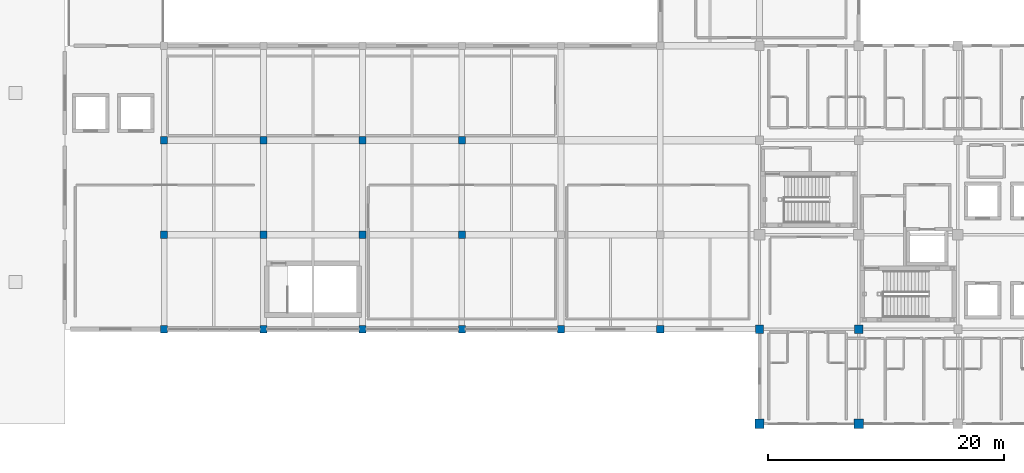
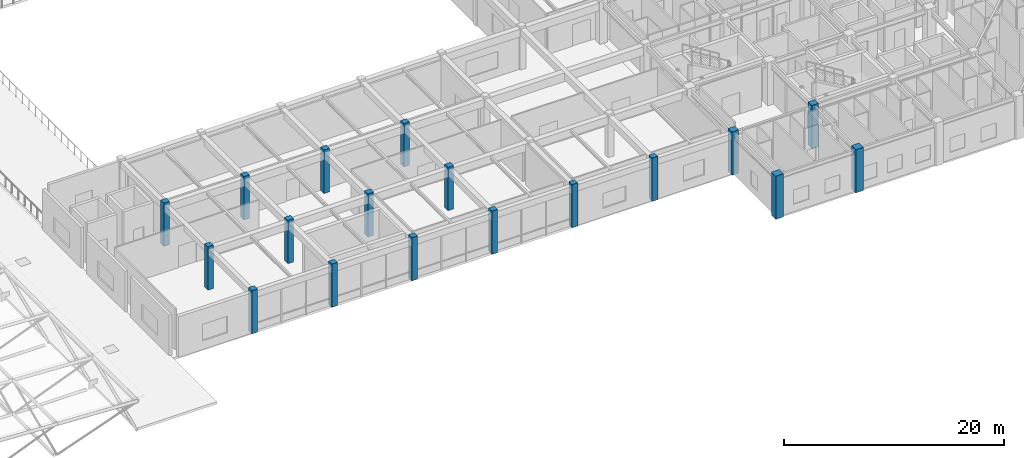
# One storey, part 1 of 37: 18 columns.
"""IFC4 building model written with IfcOpenShell, lengths in metres."""

from ifc_helpers import new_model, si_unit, direction, frame, origin, origin_2d, place, context, subcontext, project, spatial, rectangle, extrude, material, material_profile, profile_set, type_object, element, save


model = new_model("IFC4")

# Units and contexts
model_context = context("Model", 3, precision=1e-05, world=origin(), true_north=direction((0.0, 1.0)))
body_context = subcontext(model_context, "Body", "Model", "MODEL_VIEW")
ifc_project = project(units=[si_unit("LENGTHUNIT", "METRE"), si_unit("AREAUNIT", "SQUARE_METRE"), si_unit("VOLUMEUNIT", "CUBIC_METRE"), si_unit("PLANEANGLEUNIT", "RADIAN"), si_unit("MASSUNIT", "GRAM", prefix="KILO")], contexts=[model_context])

# Site, building, storey
site_placement = place(None, origin())
site = spatial("IfcSite", under=ifc_project, at=site_placement, CompositionType="ELEMENT")
building_placement = place(site_placement, origin())
building = spatial("IfcBuilding", under=site, at=building_placement, Name="Naruveol Harbour Congress Hotel", CompositionType="ELEMENT")
storey_placement = place(building_placement, frame((0.0, 0.0, 16.199951171875)))
storey = spatial("IfcBuildingStorey", under=building, at=storey_placement, Name="L03", CompositionType="ELEMENT", Elevation=16.199951171875)

# Columns
ifc_material_1 = material(Name="Concrete C40/50", Category="concrete")
ifc_material_profile_1 = material_profile(ifc_material_1, rectangle(XDim=0.699951171875, YDim=0.699951171875, at=origin_2d()), Name="RC-700x700")
ifc_profile_set_1 = profile_set([ifc_material_profile_1], Name="Concrete C40/50")
column_type_1 = type_object("IfcColumnType", Name="RC HOTEL COLUMN 700X700", PredefinedType="COLUMN", material=ifc_profile_set_1)
for number, where, z_axis, x_axis, name in (
    (1, (117.60009765625, 8.0, 0.0), (0.0, 0.0, 1.0), (1.0, 0.0, 0.0), "Planted hotel column C-700 L03 S0/J1"),
    (2, (126.0, 8.0, 0.0), (0.0, 0.0, 1.0), (1.0, 0.0, 0.0), "Planted hotel column C-700 L03 S1/J1"),
):
    element("IfcColumn", number, at=place(storey_placement, frame(where, z_axis=z_axis, x_axis=x_axis)), inside=storey, type_object=column_type_1, Name=name, PredefinedType="COLUMN", context=body_context, shape_type="SweptSolid", body=[
        extrude(rectangle(XDim=0.699951171875, YDim=0.699951171875, at=origin_2d()), origin(), (0.0, 0.0, 1.0), 4.800048828125),
    ])
ifc_material_2 = material(Name="Concrete C50/60", Category="concrete")
ifc_material_profile_2 = material_profile(ifc_material_2, rectangle(XDim=0.800048828125, YDim=0.800048828125, at=origin_2d()), Name="RC-800x800")
ifc_profile_set_2 = profile_set([ifc_material_profile_2], Name="Concrete C50/60")
column_type_2 = type_object("IfcColumnType", Name="RC PODIUM COLUMN 800X800", PredefinedType="COLUMN", material=ifc_profile_set_2)
for number, where, z_axis, x_axis, name in (
    (3, (117.60009765625, 0.0, 0.0), (0.0, 0.0, 1.0), (1.0, 0.0, 0.0), "Column C-800 L03 (117.6,0.0)"),
    (4, (126.0, 0.0, 0.0), (0.0, 0.0, 1.0), (1.0, 0.0, 0.0), "Column C-800 L03 (126.0,0.0)"),
):
    element("IfcColumn", number, at=place(storey_placement, frame(where, z_axis=z_axis, x_axis=x_axis)), inside=storey, type_object=column_type_2, Name=name, PredefinedType="COLUMN", context=body_context, shape_type="SweptSolid", body=[
        extrude(rectangle(XDim=0.800048828125, YDim=0.800048828125, at=origin_2d()), origin(), (0.0, 0.0, 1.0), 4.800048828125),
    ])
ifc_material_3 = material(Name="Concrete C40/50", Category="concrete")
ifc_material_profile_3 = material_profile(ifc_material_3, rectangle(XDim=0.60009765625, YDim=0.60009765625, at=origin_2d()), Name="RC-600x600")
ifc_profile_set_3 = profile_set([ifc_material_profile_3], Name="Concrete C40/50")
column_type_3 = type_object("IfcColumnType", Name="RC UPPER COLUMN 600X600", PredefinedType="COLUMN", material=ifc_profile_set_3)
for number, where, z_axis, x_axis, name in (
    (5, (67.199951171875, 8.0, 0.0), (0.0, 0.0, 1.0), (1.0, 0.0, 0.0), "Column C-600 L03 (67.2,8.0)"),
    (6, (67.199951171875, 16.0, 0.0), (0.0, 0.0, 1.0), (1.0, 0.0, 0.0), "Column C-600 L03 (67.2,16.0)"),
    (7, (67.199951171875, 24.0, 0.0), (0.0, 0.0, 1.0), (1.0, 0.0, 0.0), "Column C-600 L03 (67.2,24.0)"),
    (8, (75.60009765625, 8.0, 0.0), (0.0, 0.0, 1.0), (1.0, 0.0, 0.0), "Column C-600 L03 (75.6,8.0)"),
    (9, (75.60009765625, 16.0, 0.0), (0.0, 0.0, 1.0), (1.0, 0.0, 0.0), "Column C-600 L03 (75.6,16.0)"),
    (10, (75.60009765625, 24.0, 0.0), (0.0, 0.0, 1.0), (1.0, 0.0, 0.0), "Column C-600 L03 (75.6,24.0)"),
    (11, (84.0, 8.0, 0.0), (0.0, 0.0, 1.0), (1.0, 0.0, 0.0), "Column C-600 L03 (84.0,8.0)"),
    (12, (84.0, 16.0, 0.0), (0.0, 0.0, 1.0), (1.0, 0.0, 0.0), "Column C-600 L03 (84.0,16.0)"),
    (13, (84.0, 24.0, 0.0), (0.0, 0.0, 1.0), (1.0, 0.0, 0.0), "Column C-600 L03 (84.0,24.0)"),
    (14, (92.39990234375, 8.0, 0.0), (0.0, 0.0, 1.0), (1.0, 0.0, 0.0), "Column C-600 L03 (92.4,8.0)"),
    (15, (92.39990234375, 16.0, 0.0), (0.0, 0.0, 1.0), (1.0, 0.0, 0.0), "Column C-600 L03 (92.4,16.0)"),
    (16, (92.39990234375, 24.0, 0.0), (0.0, 0.0, 1.0), (1.0, 0.0, 0.0), "Column C-600 L03 (92.4,24.0)"),
    (17, (100.800048828125, 8.0, 0.0), (0.0, 0.0, 1.0), (1.0, 0.0, 0.0), "Column C-600 L03 (100.8,8.0)"),
    (18, (109.199951171875, 8.0, 0.0), (0.0, 0.0, 1.0), (1.0, 0.0, 0.0), "Column C-600 L03 (109.2,8.0)"),
):
    element("IfcColumn", number, at=place(storey_placement, frame(where, z_axis=z_axis, x_axis=x_axis)), inside=storey, type_object=column_type_3, Name=name, PredefinedType="COLUMN", context=body_context, shape_type="SweptSolid", body=[
        extrude(rectangle(XDim=0.60009765625, YDim=0.60009765625, at=origin_2d()), origin(), (0.0, 0.0, 1.0), 4.800048828125),
    ])

save(model, "model.ifc")
